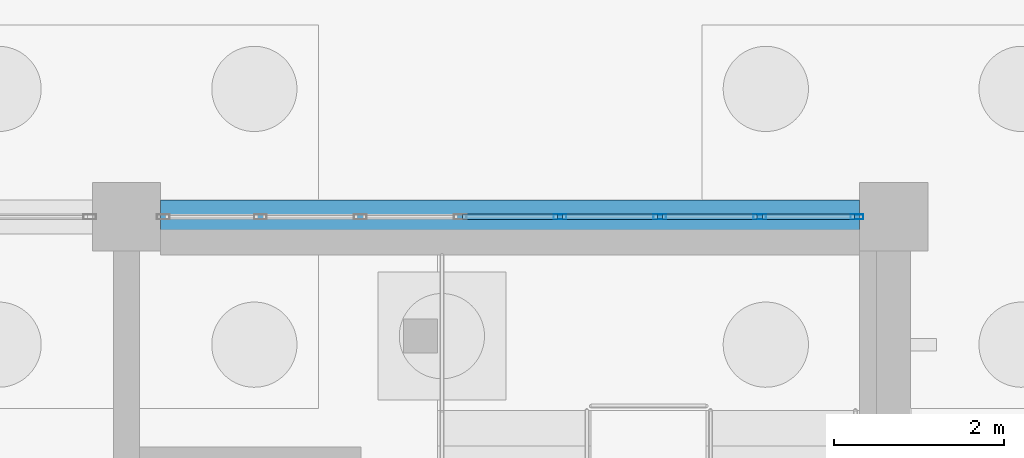
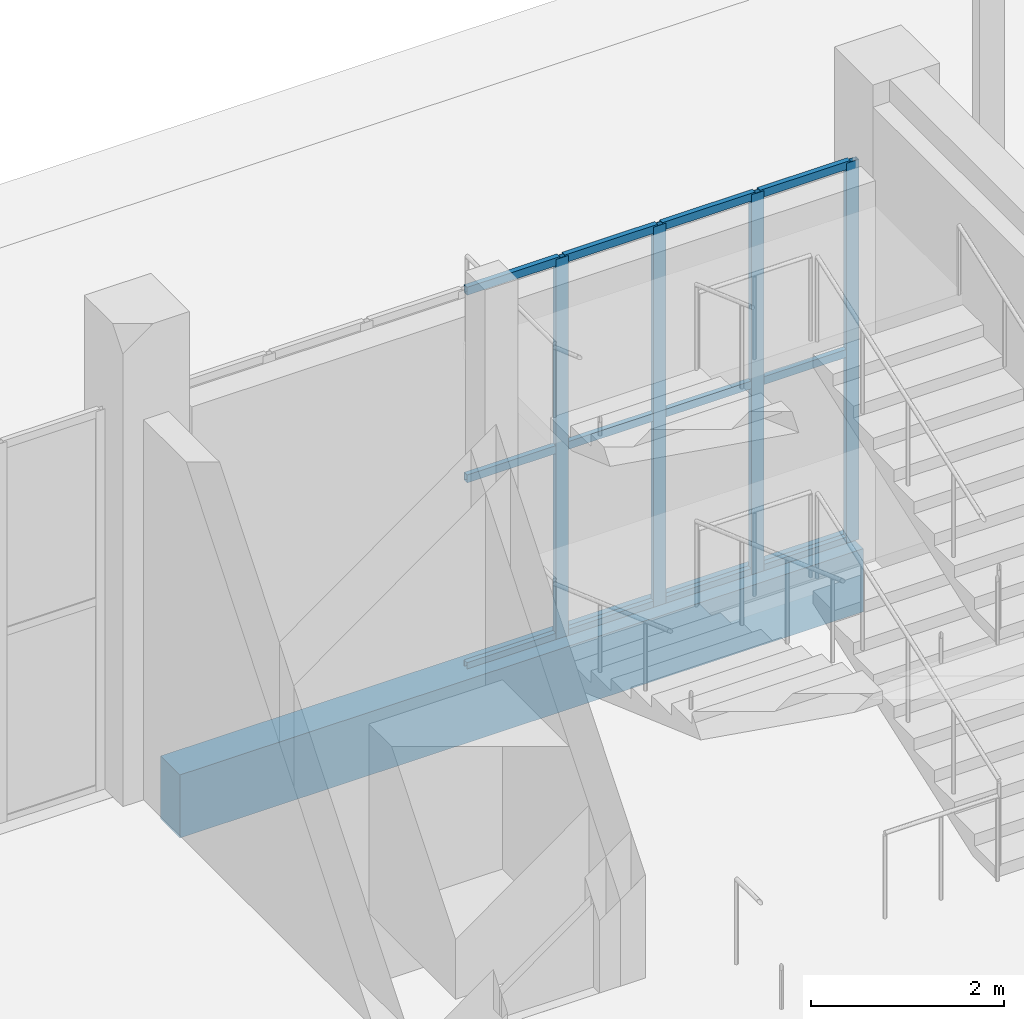
# One storey, part 44 of 198: 16 members, 1 beam, 1 element without a shape of its own.
"""IFC4 building model written with IfcOpenShell, lengths in metres."""

from ifc_helpers import new_model, si_unit, direction, frame, origin, origin_2d, place, context, subcontext, project, spatial, rectangle, hollow_rectangle, extrude, material, layer, layer_set, material_profile, profile_set, type_object, element, aggregate, save


model = new_model("IFC4")

# Units and contexts
model_context = context("Model", 3, precision=1e-05, world=origin(), true_north=direction((0.0, 1.0)))
body_context = subcontext(model_context, "Body", "Model", "MODEL_VIEW")
ifc_project = project(units=[si_unit("LENGTHUNIT", "METRE"), si_unit("AREAUNIT", "SQUARE_METRE"), si_unit("VOLUMEUNIT", "CUBIC_METRE"), si_unit("PLANEANGLEUNIT", "RADIAN"), si_unit("MASSUNIT", "GRAM", prefix="KILO")], contexts=[model_context])

# Site, building, storey
site_placement = place(None, origin())
site = spatial("IfcSite", under=ifc_project, at=site_placement, CompositionType="ELEMENT")
building_placement = place(site_placement, origin())
building = spatial("IfcBuilding", under=site, at=building_placement, Name="Opaline Strait Convention Centre", CompositionType="ELEMENT")
storey_placement = place(building_placement, origin())
storey = spatial("IfcBuildingStorey", under=building, at=storey_placement, Name="L00", CompositionType="ELEMENT", Elevation=0.0)

# Curtain wall, members
ifc_material_1 = material(Name="Aluminium framed double glazing", Category="aluminium")
ifc_layer = layer(ifc_material_1, 0.199951171875)
ifc_layer_set = layer_set([ifc_layer], Name="Aluminium framed double glazing")
curtain_wall_type = type_object("IfcCurtainWallType", Name="Curtain wall 1250", PredefinedType="NOTDEFINED", material=ifc_layer_set)
curtain_wall_placement = place(storey_placement, origin())
curtain_wall = element("IfcCurtainWall", 1, at=curtain_wall_placement, inside=storey, type_object=curtain_wall_type, Name="Curtain wall N-63-L00", PredefinedType="NOTDEFINED")
ifc_material_2 = material(Name="Aluminium alloy 6063", Category="aluminium")
ifc_material_profile_1 = material_profile(ifc_material_2, hollow_rectangle(XDim=0.06005859375, YDim=0.14990234375, WallThickness=0.00390625, at=origin_2d()), Name="MULLION 60x150x4")
ifc_profile_set_1 = profile_set([ifc_material_profile_1], Name="Aluminium alloy 6063")
member_type_1 = type_object("IfcMemberType", Name="Curtain wall mullion 60 x 150", PredefinedType="MULLION", material=ifc_profile_set_1)
member_1_placement = place(storey_placement, frame((68.085693359375, 180.0, 0.0), z_axis=(0.0, 0.0, 1.0), x_axis=(0.0, 1.0, 0.0)))
member_1 = element("IfcMember", 2, at=member_1_placement, type_object=member_type_1, Name="PCW mullion 5", PredefinedType="MULLION", context=body_context, shape_type="SweptSolid", body=[
    extrude(hollow_rectangle(XDim=0.06005859375, YDim=0.14990234375, WallThickness=0.00390625, at=origin_2d()), origin(), (0.0, 0.0, 1.0), 4.820068359375),
])
member_2_placement = place(storey_placement, frame((69.257080078125, 180.0, 0.0), z_axis=(0.0, 0.0, 1.0), x_axis=(0.0, 1.0, 0.0)))
member_2 = element("IfcMember", 3, at=member_2_placement, type_object=member_type_1, Name="PCW mullion 6", PredefinedType="MULLION", context=body_context, shape_type="SweptSolid", body=[
    extrude(hollow_rectangle(XDim=0.06005859375, YDim=0.14990234375, WallThickness=0.00390625, at=origin_2d()), origin(), (0.0, 0.0, 1.0), 4.820068359375),
])
member_3_placement = place(storey_placement, frame((70.4287109375, 180.0, 0.0), z_axis=(0.0, 0.0, 1.0), x_axis=(0.0, 1.0, 0.0)))
member_3 = element("IfcMember", 4, at=member_3_placement, type_object=member_type_1, Name="PCW mullion 7", PredefinedType="MULLION", context=body_context, shape_type="SweptSolid", body=[
    extrude(hollow_rectangle(XDim=0.06005859375, YDim=0.14990234375, WallThickness=0.00390625, at=origin_2d()), origin(), (0.0, 0.0, 1.0), 4.820068359375),
])
member_4_placement = place(storey_placement, frame((71.570068359375, 180.0, 0.0), z_axis=(0.0, 0.0, 1.0), x_axis=(0.0, 1.0, 0.0)))
member_4 = element("IfcMember", 5, at=member_4_placement, type_object=member_type_1, Name="PCW mullion 8", PredefinedType="MULLION", context=body_context, shape_type="SweptSolid", body=[
    extrude(hollow_rectangle(XDim=0.06005859375, YDim=0.14990234375, WallThickness=0.00390625, at=origin_2d()), origin(), (0.0, 0.0, 1.0), 4.820068359375),
])
ifc_material_profile_2 = material_profile(ifc_material_2, hollow_rectangle(XDim=0.06005859375, YDim=0.10009765625, WallThickness=0.0029296875, at=origin_2d()), Name="TRANSOM 60x100x3")
ifc_profile_set_2 = profile_set([ifc_material_profile_2], Name="Aluminium alloy 6063")
member_type_2 = type_object("IfcMemberType", Name="Curtain wall transom 60 x 100", PredefinedType="USERDEFINED", material=ifc_profile_set_2)
member_5_placement = place(storey_placement, frame((66.9443359375, 180.0, 0.030029296875), z_axis=(1.0, 0.0, 0.0), x_axis=(0.0, 1.0, 0.0)))
member_5 = element("IfcMember", 6, at=member_5_placement, type_object=member_type_2, Name="PCW transom 4.1", ObjectType="TRANSOM", PredefinedType="USERDEFINED", context=body_context, shape_type="SweptSolid", body=[
    extrude(hollow_rectangle(XDim=0.06005859375, YDim=0.10009765625, WallThickness=0.0029296875, at=origin_2d()), origin(), (0.0, 0.0, 1.0), 1.111328125),
])
member_6_placement = place(storey_placement, frame((66.9443359375, 180.0, 2.409912109375), z_axis=(1.0, 0.0, 0.0), x_axis=(0.0, 1.0, 0.0)))
member_6 = element("IfcMember", 7, at=member_6_placement, type_object=member_type_2, Name="PCW transom 4.2", ObjectType="TRANSOM", PredefinedType="USERDEFINED", context=body_context, shape_type="SweptSolid", body=[
    extrude(hollow_rectangle(XDim=0.06005859375, YDim=0.10009765625, WallThickness=0.0029296875, at=origin_2d()), origin(), (0.0, 0.0, 1.0), 1.111328125),
])
member_7_placement = place(storey_placement, frame((66.9443359375, 180.0, 4.7900390625), z_axis=(1.0, 0.0, 0.0), x_axis=(0.0, 1.0, 0.0)))
member_7 = element("IfcMember", 8, at=member_7_placement, type_object=member_type_2, Name="PCW transom 4.3", ObjectType="TRANSOM", PredefinedType="USERDEFINED", context=body_context, shape_type="SweptSolid", body=[
    extrude(hollow_rectangle(XDim=0.06005859375, YDim=0.10009765625, WallThickness=0.0029296875, at=origin_2d()), origin(), (0.0, 0.0, 1.0), 1.111328125),
])
member_8_placement = place(storey_placement, frame((68.11572265625, 180.0, 0.030029296875), z_axis=(1.0, 0.0, 0.0), x_axis=(0.0, 1.0, 0.0)))
member_8 = element("IfcMember", 9, at=member_8_placement, type_object=member_type_2, Name="PCW transom 5.1", ObjectType="TRANSOM", PredefinedType="USERDEFINED", context=body_context, shape_type="SweptSolid", body=[
    extrude(hollow_rectangle(XDim=0.06005859375, YDim=0.10009765625, WallThickness=0.0029296875, at=origin_2d()), origin(), (0.0, 0.0, 1.0), 1.111572265625),
])
member_9_placement = place(storey_placement, frame((68.11572265625, 180.0, 2.409912109375), z_axis=(1.0, 0.0, 0.0), x_axis=(0.0, 1.0, 0.0)))
member_9 = element("IfcMember", 10, at=member_9_placement, type_object=member_type_2, Name="PCW transom 5.2", ObjectType="TRANSOM", PredefinedType="USERDEFINED", context=body_context, shape_type="SweptSolid", body=[
    extrude(hollow_rectangle(XDim=0.06005859375, YDim=0.10009765625, WallThickness=0.0029296875, at=origin_2d()), origin(), (0.0, 0.0, 1.0), 1.111572265625),
])
member_10_placement = place(storey_placement, frame((68.11572265625, 180.0, 4.7900390625), z_axis=(1.0, 0.0, 0.0), x_axis=(0.0, 1.0, 0.0)))
member_10 = element("IfcMember", 11, at=member_10_placement, type_object=member_type_2, Name="PCW transom 5.3", ObjectType="TRANSOM", PredefinedType="USERDEFINED", context=body_context, shape_type="SweptSolid", body=[
    extrude(hollow_rectangle(XDim=0.06005859375, YDim=0.10009765625, WallThickness=0.0029296875, at=origin_2d()), origin(), (0.0, 0.0, 1.0), 1.111572265625),
])
member_11_placement = place(storey_placement, frame((69.287109375, 180.0, 0.030029296875), z_axis=(1.0, 0.0, 0.0), x_axis=(0.0, 1.0, 0.0)))
member_11 = element("IfcMember", 12, at=member_11_placement, type_object=member_type_2, Name="PCW transom 6.1", ObjectType="TRANSOM", PredefinedType="USERDEFINED", context=body_context, shape_type="SweptSolid", body=[
    extrude(hollow_rectangle(XDim=0.06005859375, YDim=0.10009765625, WallThickness=0.0029296875, at=origin_2d()), origin(), (0.0, 0.0, 1.0), 1.111572265625),
])
member_12_placement = place(storey_placement, frame((69.287109375, 180.0, 2.409912109375), z_axis=(1.0, 0.0, 0.0), x_axis=(0.0, 1.0, 0.0)))
member_12 = element("IfcMember", 13, at=member_12_placement, type_object=member_type_2, Name="PCW transom 6.2", ObjectType="TRANSOM", PredefinedType="USERDEFINED", context=body_context, shape_type="SweptSolid", body=[
    extrude(hollow_rectangle(XDim=0.06005859375, YDim=0.10009765625, WallThickness=0.0029296875, at=origin_2d()), origin(), (0.0, 0.0, 1.0), 1.111572265625),
])
member_13_placement = place(storey_placement, frame((69.287109375, 180.0, 4.7900390625), z_axis=(1.0, 0.0, 0.0), x_axis=(0.0, 1.0, 0.0)))
member_13 = element("IfcMember", 14, at=member_13_placement, type_object=member_type_2, Name="PCW transom 6.3", ObjectType="TRANSOM", PredefinedType="USERDEFINED", context=body_context, shape_type="SweptSolid", body=[
    extrude(hollow_rectangle(XDim=0.06005859375, YDim=0.10009765625, WallThickness=0.0029296875, at=origin_2d()), origin(), (0.0, 0.0, 1.0), 1.111572265625),
])
member_14_placement = place(storey_placement, frame((70.458740234375, 180.0, 0.030029296875), z_axis=(1.0, 0.0, 0.0), x_axis=(0.0, 1.0, 0.0)))
member_14 = element("IfcMember", 15, at=member_14_placement, type_object=member_type_2, Name="PCW transom 7.1", ObjectType="TRANSOM", PredefinedType="USERDEFINED", context=body_context, shape_type="SweptSolid", body=[
    extrude(hollow_rectangle(XDim=0.06005859375, YDim=0.10009765625, WallThickness=0.0029296875, at=origin_2d()), origin(), (0.0, 0.0, 1.0), 1.081298828125),
])
member_15_placement = place(storey_placement, frame((70.458740234375, 180.0, 2.409912109375), z_axis=(1.0, 0.0, 0.0), x_axis=(0.0, 1.0, 0.0)))
member_15 = element("IfcMember", 16, at=member_15_placement, type_object=member_type_2, Name="PCW transom 7.2", ObjectType="TRANSOM", PredefinedType="USERDEFINED", context=body_context, shape_type="SweptSolid", body=[
    extrude(hollow_rectangle(XDim=0.06005859375, YDim=0.10009765625, WallThickness=0.0029296875, at=origin_2d()), origin(), (0.0, 0.0, 1.0), 1.081298828125),
])
member_16_placement = place(storey_placement, frame((70.458740234375, 180.0, 4.7900390625), z_axis=(1.0, 0.0, 0.0), x_axis=(0.0, 1.0, 0.0)))
member_16 = element("IfcMember", 17, at=member_16_placement, type_object=member_type_2, Name="PCW transom 7.3", ObjectType="TRANSOM", PredefinedType="USERDEFINED", context=body_context, shape_type="SweptSolid", body=[
    extrude(hollow_rectangle(XDim=0.06005859375, YDim=0.10009765625, WallThickness=0.0029296875, at=origin_2d()), origin(), (0.0, 0.0, 1.0), 1.081298828125),
])
aggregate(curtain_wall, [member_1, member_2, member_3, member_4, member_5, member_6, member_7, member_8, member_9, member_10, member_11, member_12, member_13, member_14, member_15, member_16])

# Beam
ifc_material_3 = material(Name="Concrete C35", Category="concrete")
ifc_material_profile_3 = material_profile(ifc_material_3, rectangle(XDim=0.39990234375, YDim=0.800048828125, at=origin_2d()), Name="RC 400x800")
ifc_profile_set_3 = profile_set([ifc_material_profile_3], Name="Concrete C35")
beam_type = type_object("IfcBeamType", Name="RC ground beam 400x800 C35", PredefinedType="BEAM", material=ifc_profile_set_3)
beam_placement = place(storey_placement, frame((63.39990234375, 180.0, -0.39990234375), z_axis=(1.0, 0.0, 0.0), x_axis=(0.0, 1.0, 0.0)))
element("IfcBeam", 18, at=beam_placement, inside=storey, type_object=beam_type, Name="PGB1 ground beam 8/W-9/W", PredefinedType="BEAM", context=body_context, shape_type="SweptSolid", body=[
    extrude(rectangle(XDim=0.39990234375, YDim=0.800048828125, at=origin_2d()), origin(), (0.0, 0.0, 1.0), 8.2001953125),
])

save(model, "model.ifc")
